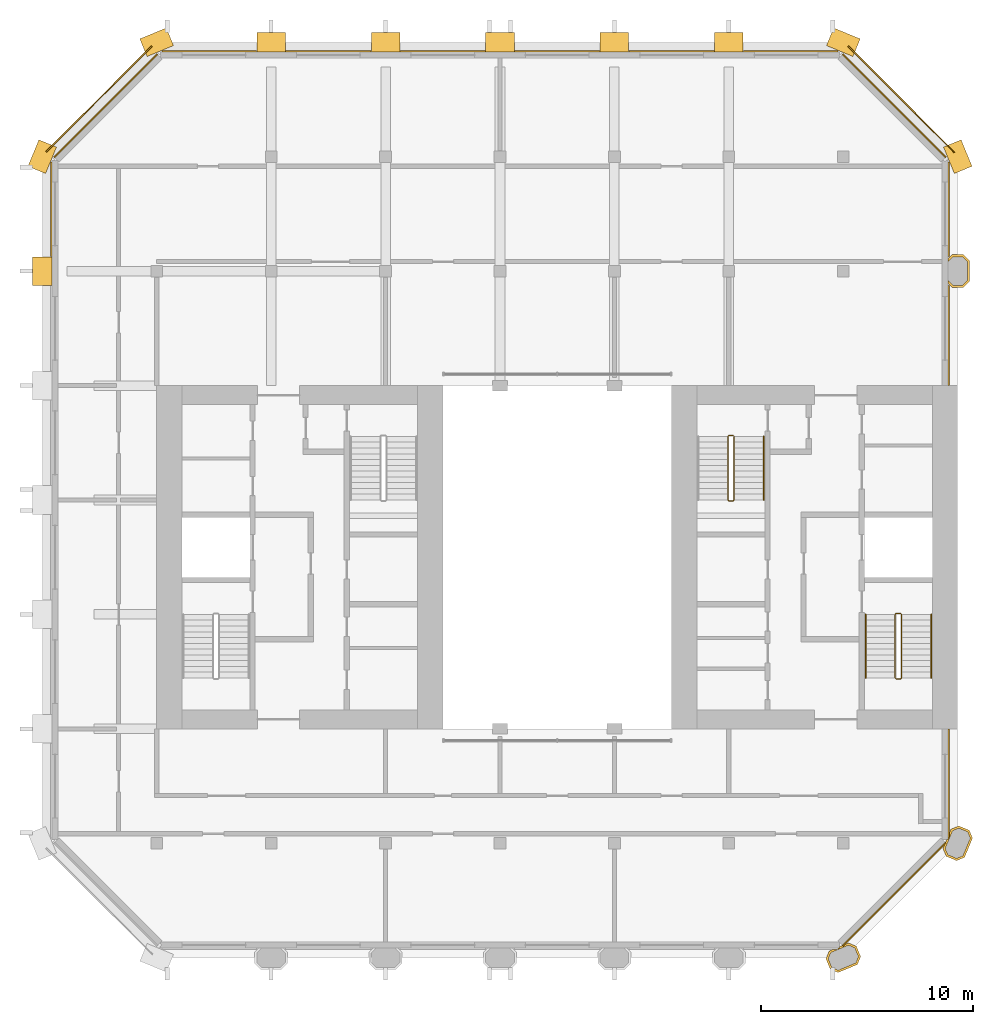
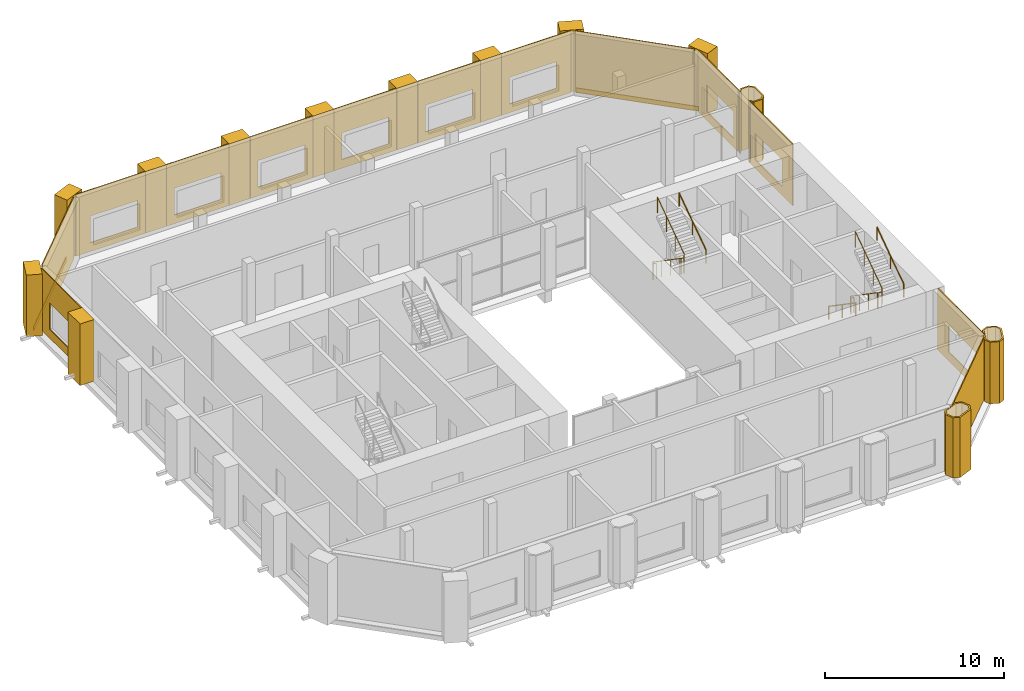
# One storey, part 11 of 11: 28 coverings, 5 railings.
"""IFC4 building model written with IfcOpenShell, lengths in metres."""

from ifc_helpers import new_model, si_unit, direction, frame, frame_2d, origin, origin_2d, place, context, subcontext, project, spatial, polyline, rectangle, circle, outline, extrude, material, layer, layer_set, type_object, element, save


model = new_model("IFC4")

# Units and contexts
model_context = context("Model", 3, precision=1e-05, world=origin(), true_north=direction((0.0, 1.0)))
body_context = subcontext(model_context, "Body", "Model", "MODEL_VIEW")
ifc_project = project(units=[si_unit("LENGTHUNIT", "METRE"), si_unit("AREAUNIT", "SQUARE_METRE"), si_unit("VOLUMEUNIT", "CUBIC_METRE"), si_unit("PLANEANGLEUNIT", "RADIAN"), si_unit("MASSUNIT", "GRAM", prefix="KILO")], contexts=[model_context])

# Site, building, storey
site_placement = place(None, origin())
site = spatial("IfcSite", under=ifc_project, at=site_placement, CompositionType="ELEMENT")
building_placement = place(site_placement, origin())
building = spatial("IfcBuilding", under=site, at=building_placement, Name="Tabaq Tower and Sports Hall", CompositionType="ELEMENT")
storey_placement = place(building_placement, frame((0.0, 0.0, 312.699951171875)))
storey = spatial("IfcBuildingStorey", under=building, at=storey_placement, Name="L78", CompositionType="ELEMENT", Elevation=312.699951171875)

# Coverings
ifc_material_1 = material(Name="Precast concrete C60/75", Category="concrete")
ifc_layer_1 = layer(ifc_material_1, 0.10009765625)
ifc_layer_set_1 = layer_set([ifc_layer_1], Name="Column cladding 100")
covering_type_1 = type_object("IfcCoveringType", Name="Column cladding 100", PredefinedType="CLADDING", material=ifc_layer_set_1)
covering_1_placement = place(storey_placement, frame((0.0, 0.0, 0.10009765625)))
element("IfcCovering", 1, at=covering_1_placement, inside=storey, type_object=covering_type_1, Name="Column cladding L78 PC-8B-CR", PredefinedType="CLADDING", context=body_context, shape_type="SweptSolid", body=[
    extrude(outline(polyline([(36.982421875, 5.349609375), (37.1357421875, 5.7197265625), (37.304443359375, 5.789794921875), (37.55712890625, 5.789794921875), (37.55712890625, 5.849609375), (37.614013671875, 5.849609375), (37.614013671875, 5.91796875), (37.767578125, 5.9814453125), (37.799072265625, 5.9501953125), (37.875, 6.026123046875), (38.04345703125, 6.095947265625), (38.413818359375, 5.9423828125), (38.61767578125, 5.450439453125), (38.46435546875, 5.080078125), (37.556396484375, 4.7041015625), (37.186279296875, 4.857421875), (36.982421875, 5.349609375)]), holes=[polyline([(38.510009765625, 5.450439453125), (38.337646484375, 5.866455078125), (38.04345703125, 5.98828125), (37.2119140625, 5.643798828125), (37.08984375, 5.349609375), (37.26220703125, 4.93359375), (37.556396484375, 4.811767578125), (38.38818359375, 5.15625), (38.510009765625, 5.450439453125)])]), origin(), (0.0, 0.0, 1.0), 4.099853515625),
])
covering_2_placement = place(storey_placement, origin())
element("IfcCovering", 2, at=covering_2_placement, inside=storey, type_object=covering_type_1, Name="Column cladding L78 PC-9C-CR", PredefinedType="CLADDING", context=body_context, shape_type="SweptSolid", body=[
    extrude(outline(polyline([(42.657470703125, 10.186279296875), (42.504150390625, 10.556396484375), (42.573974609375, 10.72509765625), (42.64990234375, 10.801025390625), (42.618408203125, 10.83251953125), (42.68212890625, 10.986083984375), (42.750244140625, 10.986083984375), (42.750244140625, 11.04296875), (42.810302734375, 11.04296875), (42.810302734375, 11.295654296875), (42.880126953125, 11.46435546875), (43.25048828125, 11.61767578125), (43.742431640625, 11.413818359375), (43.895751953125, 11.04345703125), (43.519775390625, 10.1357421875), (43.149658203125, 9.982421875), (42.657470703125, 10.186279296875)]), holes=[polyline([(43.66650390625, 11.337646484375), (43.25048828125, 11.510009765625), (42.956298828125, 11.38818359375), (42.61181640625, 10.556396484375), (42.733642578125, 10.26220703125), (43.149658203125, 10.08984375), (43.44384765625, 10.2119140625), (43.788330078125, 11.04345703125), (43.66650390625, 11.337646484375)])]), origin(), (0.0, 0.0, 1.0), 4.199951171875),
])
covering_3_placement = place(storey_placement, origin())
element("IfcCovering", 3, at=covering_3_placement, inside=storey, type_object=covering_type_1, Name="Column cladding L78 PC-9H-CR", PredefinedType="CLADDING", context=body_context, shape_type="SweptSolid", body=[
    extrude(outline(polyline([(42.93359375, 37.025390625), (42.750244140625, 37.208740234375), (42.750244140625, 37.349365234375), (42.974853515625, 37.124755859375), (43.425048828125, 37.124755859375), (43.650390625, 37.349853515625), (43.650390625, 38.250244140625), (43.425048828125, 38.475341796875), (42.974853515625, 38.475341796875), (42.750244140625, 38.250732421875), (42.750244140625, 38.391357421875), (42.93359375, 38.57470703125), (43.46630859375, 38.57470703125), (43.749755859375, 38.291259765625), (43.749755859375, 37.30859375), (43.46630859375, 37.025390625), (42.93359375, 37.025390625)])), origin(), (0.0, 0.0, 1.0), 4.199951171875),
])
ifc_material_2 = material(Name="Precast concrete C60/75", Category="concrete")
ifc_layer_2 = layer(ifc_material_2, 0.06005859375)
ifc_layer_set_2 = layer_set([ifc_layer_2], Name="Edge beam cladding 60")
covering_type_2 = type_object("IfcCoveringType", Name="Edge beam cladding 60", PredefinedType="CLADDING", material=ifc_layer_set_2)
covering_4_placement = place(storey_placement, frame((43.04443359375, 43.39794921875, -0.300048828125), z_axis=(0.0, 0.0, 1.0), x_axis=(-0.707106781187, 0.707106781187, 0.0)))
element("IfcCovering", 4, at=covering_4_placement, inside=storey, type_object=covering_type_2, Name="Edge beam cladding L78 1", PredefinedType="CLADDING", context=body_context, shape_type="SweptSolid", body=[
    extrude(rectangle(XDim=7.08837890625, YDim=0.06005859375, at=frame_2d((3.544189453125, 0.0))), origin(), (0.0, 0.0, 1.0), 0.300048828125),
])
covering_5_placement = place(storey_placement, frame((5.167724609375, 48.41015625, -0.300048828125), z_axis=(0.0, 0.0, 1.0), x_axis=(-0.707106781187, -0.707106781187, 0.0)))
element("IfcCovering", 5, at=covering_5_placement, inside=storey, type_object=covering_type_2, Name="Edge beam cladding L78 3", PredefinedType="CLADDING", context=body_context, shape_type="SweptSolid", body=[
    extrude(rectangle(XDim=7.03955078125, YDim=0.06005859375, at=frame_2d((3.519775390625, 0.0))), origin(), (0.0, 0.0, 1.0), 0.300048828125),
])
ifc_material_3 = material(Name="White precast concrete C60/75", Category="concrete")
covering_type_3 = type_object("IfcCoveringType", Name="Pier cladding hung 1350x900", PredefinedType="CLADDING", material=ifc_material_3)
for number, where, z_axis, x_axis, name in (
    (6, (0.0, 38.47509765625, 0.0), (0.0, 0.0, 1.0), (0.0, -1.0, 0.0), "Hung pier cladding 0/7"),
    (7, (0.25830078125, 43.82373046875, 0.0), (0.0, 0.0, 1.0), (-0.382649923473, -0.923893411637, 0.0), "Hung pier cladding 0/8"),
    (8, (6.023681640625, 48.8583984375, 0.0), (0.0, 0.0, 1.0), (-0.923893411637, -0.382649923473, 0.0), "Hung pier cladding 1/9"),
    (9, (11.47509765625, 48.60009765625, 0.0), (0.0, 0.0, 1.0), (-1.0, 0.0, 0.0), "Hung pier cladding 2/9"),
    (10, (16.875, 48.60009765625, 0.0), (0.0, 0.0, 1.0), (-1.0, 0.0, 0.0), "Hung pier cladding 3/9"),
):
    element("IfcCovering", number, at=place(storey_placement, frame(where, z_axis=z_axis, x_axis=x_axis)), inside=storey, type_object=covering_type_3, Name=name, PredefinedType="CLADDING", context=body_context, shape_type="SweptSolid", body=[
        extrude(rectangle(XDim=1.35009765625, YDim=0.89990234375, at=frame_2d((0.675048828125, 0.0))), origin(), (0.0, 0.0, 1.0), 4.199951171875),
    ])
covering_6_placement = place(storey_placement, frame((22.27490234375, 48.60009765625, 0.0), z_axis=(0.0, 0.0, 1.0), x_axis=(-1.0, 0.0, 0.0)))
element("IfcCovering", 11, at=covering_6_placement, inside=storey, type_object=covering_type_3, Name="Hung pier cladding 4/9", PredefinedType="CLADDING", context=body_context, shape_type="SweptSolid", body=[
    extrude(rectangle(XDim=1.349853515625, YDim=0.89990234375, at=frame_2d((0.6748046875, 0.0))), origin(), (0.0, 0.0, 1.0), 4.199951171875),
])
covering_7_placement = place(storey_placement, frame((27.675048828125, 48.60009765625, 0.0), z_axis=(0.0, 0.0, 1.0), x_axis=(-1.0, 0.0, 0.0)))
element("IfcCovering", 12, at=covering_7_placement, inside=storey, type_object=covering_type_3, Name="Hung pier cladding 5/9", PredefinedType="CLADDING", context=body_context, shape_type="SweptSolid", body=[
    extrude(rectangle(XDim=1.35009765625, YDim=0.89990234375, at=frame_2d((0.675048828125, 0.0))), origin(), (0.0, 0.0, 1.0), 4.199951171875),
])
covering_8_placement = place(storey_placement, frame((33.074951171875, 48.60009765625, 0.0), z_axis=(0.0, 0.0, 1.0), x_axis=(-1.0, 0.0, 0.0)))
element("IfcCovering", 13, at=covering_8_placement, inside=storey, type_object=covering_type_3, Name="Hung pier cladding 6/9", PredefinedType="CLADDING", context=body_context, shape_type="SweptSolid", body=[
    extrude(rectangle(XDim=1.349853515625, YDim=0.89990234375, at=frame_2d((0.6748046875, 0.0))), origin(), (0.0, 0.0, 1.0), 4.199951171875),
])
for number, where, z_axis, x_axis, name in (
    (14, (38.423583984375, 48.341796875, 0.0), (0.0, 0.0, 1.0), (-0.923893411637, 0.382649923473, 0.0), "Hung pier cladding 7/9"),
    (15, (43.458251953125, 42.576416015625, 0.0), (0.0, 0.0, 1.0), (-0.382649923473, 0.923893411637, 0.0), "Hung pier cladding 8/8"),
):
    element("IfcCovering", number, at=place(storey_placement, frame(where, z_axis=z_axis, x_axis=x_axis)), inside=storey, type_object=covering_type_3, Name=name, PredefinedType="CLADDING", context=body_context, shape_type="SweptSolid", body=[
        extrude(rectangle(XDim=1.35009765625, YDim=0.89990234375, at=frame_2d((0.675048828125, 0.0))), origin(), (0.0, 0.0, 1.0), 4.199951171875),
    ])

# Railings
ifc_material_4 = material(Name="Stainless steel", Category="steel")
railing_type_1 = type_object("IfcRailingType", Name="Stair guard", PredefinedType="GUARDRAIL", material=ifc_material_4)
railing_1_placement = place(storey_placement, frame((40.5, 21.64990234375, 0.0)))
element("IfcRailing", 16, at=railing_1_placement, inside=storey, type_object=railing_type_1, Name="L78 ST3 stair guard 1", PredefinedType="GUARDRAIL", context=body_context, shape_type="SweptSolid", body=[
    extrude(circle(Radius=0.02392578125, at=origin_2d()), frame((0.0, 0.0, 1.076171875), z_axis=(-1.0, 0.0, 0.0), x_axis=(0.0, -1.0, 0.0)), (0.0, 0.0, 1.0), 0.199951171875),
    extrude(circle(Radius=0.02392578125, at=origin_2d()), frame((-0.199951171875, 0.0, 1.076171875), z_axis=(-0.249802250048, -0.248583702486, 0.935844527007), x_axis=(0.705375805398, -0.708833529934, 0.0)), (0.0, 0.0, 1.0), 0.200439453125),
    extrude(circle(Radius=0.02392578125, at=origin_2d()), frame((-0.25, -0.0498046875, 1.263671875), z_axis=(0.0, -0.824041924199, 0.566528822887), x_axis=(1.0, 0.0, 0.0)), (0.0, 0.0, 1.0), 3.640625),
    extrude(circle(Radius=0.02392578125, at=origin_2d()), frame((-0.25, -3.0498046875, 3.326171875), z_axis=(0.707106781187, -0.707106781187, 0.0), x_axis=(0.707106781187, 0.707106781187, 0.0)), (0.0, 0.0, 1.0), 0.07080078125),
    extrude(circle(Radius=0.02392578125, at=origin_2d()), frame((-0.199951171875, -3.099853515625, 3.326171875), z_axis=(1.0, 0.0, 0.0), x_axis=(0.0, 1.0, 0.0)), (0.0, 0.0, 1.0), 0.199951171875),
    extrude(circle(Radius=0.02392578125, at=origin_2d()), frame((0.0, -3.099853515625, 3.326171875), z_axis=(0.249726431254, 0.249726431254, 0.935560483917), x_axis=(-0.707106781187, 0.707106781187, 0.0)), (0.0, 0.0, 1.0), 0.200439453125),
    extrude(circle(Radius=0.02392578125, at=origin_2d()), frame((0.050048828125, -3.0498046875, 3.513671875), z_axis=(0.0, 0.824041924199, 0.566528822887), x_axis=(-1.0, 0.0, 0.0)), (0.0, 0.0, 1.0), 3.640625),
    extrude(circle(Radius=0.02099609375, at=origin_2d()), origin(), (0.0, 0.0, 1.0), 1.052001953125),
    extrude(circle(Radius=0.02099609375, at=origin_2d()), frame((-0.199951171875, 0.0, 0.0)), (0.0, 0.0, 1.0), 1.052001953125),
    extrude(circle(Radius=0.02099609375, at=origin_2d()), frame((-0.25, -0.0498046875, 0.1875)), (0.0, 0.0, 1.0), 1.052001953125),
    extrude(circle(Radius=0.02099609375, at=origin_2d()), frame((-0.25, -1.0498046875, 0.875)), (0.0, 0.0, 1.0), 1.052001953125),
    extrude(circle(Radius=0.02099609375, at=origin_2d()), frame((-0.25, -2.0498046875, 1.5625)), (0.0, 0.0, 1.0), 1.052001953125),
    extrude(circle(Radius=0.02099609375, at=origin_2d()), frame((-0.25, -3.0498046875, 2.25)), (0.0, 0.0, 1.0), 1.052001953125),
    extrude(circle(Radius=0.02099609375, at=origin_2d()), frame((-0.199951171875, -3.099853515625, 2.25)), (0.0, 0.0, 1.0), 1.052001953125),
    extrude(circle(Radius=0.02099609375, at=origin_2d()), frame((0.0, -3.099853515625, 2.25)), (0.0, 0.0, 1.0), 1.052001953125),
    extrude(circle(Radius=0.02099609375, at=origin_2d()), frame((0.050048828125, -3.0498046875, 2.4375)), (0.0, 0.0, 1.0), 1.052001953125),
    extrude(circle(Radius=0.02099609375, at=origin_2d()), frame((0.050048828125, -2.0498046875, 3.125)), (0.0, 0.0, 1.0), 1.052001953125),
    extrude(circle(Radius=0.02099609375, at=origin_2d()), frame((0.050048828125, -1.0498046875, 3.8125)), (0.0, 0.0, 1.0), 1.052001953125),
    extrude(circle(Radius=0.02099609375, at=origin_2d()), frame((0.050048828125, -0.0498046875, 4.5)), (0.0, 0.0, 1.0), 1.052001953125),
])
railing_2_placement = place(storey_placement, frame((32.60009765625, 30.050048828125, 0.0)))
element("IfcRailing", 17, at=railing_2_placement, inside=storey, type_object=railing_type_1, Name="L78 ST4 stair guard 1", PredefinedType="GUARDRAIL", context=body_context, shape_type="SweptSolid", body=[
    extrude(circle(Radius=0.02392578125, at=origin_2d()), frame((0.0, 0.0, 1.076171875), z_axis=(-1.0, 0.0, 0.0), x_axis=(0.0, -1.0, 0.0)), (0.0, 0.0, 1.0), 0.2001953125),
    extrude(circle(Radius=0.02392578125, at=origin_2d()), frame((-0.2001953125, 0.0, 1.076171875), z_axis=(-0.248583702486, -0.249802250048, 0.935844527007), x_axis=(0.708833529934, -0.705375805398, 0.0)), (0.0, 0.0, 1.0), 0.200439453125),
    extrude(circle(Radius=0.02392578125, at=origin_2d()), frame((-0.25, -0.050048828125, 1.263671875), z_axis=(0.0, -0.824041924199, 0.566528822887), x_axis=(1.0, 0.0, 0.0)), (0.0, 0.0, 1.0), 3.640625),
    extrude(circle(Radius=0.02392578125, at=origin_2d()), frame((-0.25, -3.050048828125, 3.326171875), z_axis=(0.705375805398, -0.708833529934, 0.0), x_axis=(0.708833529934, 0.705375805398, 0.0)), (0.0, 0.0, 1.0), 0.070556640625),
    extrude(circle(Radius=0.02392578125, at=origin_2d()), frame((-0.2001953125, -3.10009765625, 3.326171875), z_axis=(1.0, 0.0, 0.0), x_axis=(0.0, 1.0, 0.0)), (0.0, 0.0, 1.0), 0.2001953125),
    extrude(circle(Radius=0.02392578125, at=origin_2d()), frame((0.0, -3.10009765625, 3.326171875), z_axis=(0.248583702486, 0.249802250048, 0.935844527007), x_axis=(-0.708833529934, 0.705375805398, 0.0)), (0.0, 0.0, 1.0), 0.200439453125),
    extrude(circle(Radius=0.02392578125, at=origin_2d()), frame((0.0498046875, -3.050048828125, 3.513671875), z_axis=(0.0, 0.824041924199, 0.566528822887), x_axis=(-1.0, 0.0, 0.0)), (0.0, 0.0, 1.0), 3.640625),
    extrude(circle(Radius=0.02099609375, at=origin_2d()), origin(), (0.0, 0.0, 1.0), 1.052001953125),
    extrude(circle(Radius=0.02099609375, at=origin_2d()), frame((-0.2001953125, 0.0, 0.0)), (0.0, 0.0, 1.0), 1.052001953125),
    extrude(circle(Radius=0.02099609375, at=origin_2d()), frame((-0.25, -0.050048828125, 0.1875)), (0.0, 0.0, 1.0), 1.052001953125),
    extrude(circle(Radius=0.02099609375, at=origin_2d()), frame((-0.25, -1.050048828125, 0.875)), (0.0, 0.0, 1.0), 1.052001953125),
    extrude(circle(Radius=0.02099609375, at=origin_2d()), frame((-0.25, -2.050048828125, 1.5625)), (0.0, 0.0, 1.0), 1.052001953125),
    extrude(circle(Radius=0.02099609375, at=origin_2d()), frame((-0.25, -3.050048828125, 2.25)), (0.0, 0.0, 1.0), 1.052001953125),
    extrude(circle(Radius=0.02099609375, at=origin_2d()), frame((-0.2001953125, -3.10009765625, 2.25)), (0.0, 0.0, 1.0), 1.052001953125),
    extrude(circle(Radius=0.02099609375, at=origin_2d()), frame((0.0, -3.10009765625, 2.25)), (0.0, 0.0, 1.0), 1.052001953125),
    extrude(circle(Radius=0.02099609375, at=origin_2d()), frame((0.0498046875, -3.050048828125, 2.4375)), (0.0, 0.0, 1.0), 1.052001953125),
    extrude(circle(Radius=0.02099609375, at=origin_2d()), frame((0.0498046875, -2.050048828125, 3.125)), (0.0, 0.0, 1.0), 1.052001953125),
    extrude(circle(Radius=0.02099609375, at=origin_2d()), frame((0.0498046875, -1.050048828125, 3.8125)), (0.0, 0.0, 1.0), 1.052001953125),
    extrude(circle(Radius=0.02099609375, at=origin_2d()), frame((0.0498046875, -0.050048828125, 4.5)), (0.0, 0.0, 1.0), 1.052001953125),
])
ifc_material_5 = material(Name="Stainless steel", Category="steel")
railing_type_2 = type_object("IfcRailingType", Name="Stair handrail", PredefinedType="HANDRAIL", material=ifc_material_5)
railing_3_placement = place(storey_placement, frame((38.85009765625, 21.60009765625, 0.1875)))
element("IfcRailing", 18, at=railing_3_placement, inside=storey, type_object=railing_type_2, Name="L78 ST3 stair handrail 1", PredefinedType="HANDRAIL", context=body_context, shape_type="SweptSolid", body=[
    extrude(circle(Radius=0.02392578125, at=origin_2d()), frame((0.0, 0.0, 0.8759765625), z_axis=(0.0, -0.824041924199, 0.566528822887), x_axis=(1.0, 0.0, 0.0)), (0.0, 0.0, 1.0), 3.640625),
    extrude(circle(Radius=0.02099609375, at=origin_2d()), origin(), (0.0, 0.0, 1.0), 0.851806640625),
    extrude(circle(Radius=0.02099609375, at=origin_2d()), frame((0.0, -1.5, 1.03125)), (0.0, 0.0, 1.0), 0.851806640625),
    extrude(circle(Radius=0.02099609375, at=origin_2d()), frame((0.0, -3.0, 2.0625)), (0.0, 0.0, 1.0), 0.851806640625),
])
for number, where, name in (
    (19, (41.949951171875, 18.60009765625, 2.4375), "L78 ST3 stair handrail 2"),
    (20, (34.050048828125, 27.0, 2.4375), "L78 ST4 stair handrail 2"),
):
    element("IfcRailing", number, at=place(storey_placement, frame(where)), inside=storey, type_object=railing_type_2, Name=name, PredefinedType="HANDRAIL", context=body_context, shape_type="SweptSolid", body=[
        extrude(circle(Radius=0.02392578125, at=origin_2d()), frame((0.0, 0.0, 0.8759765625), z_axis=(0.0, 0.824041924199, 0.566528822887), x_axis=(-1.0, 0.0, 0.0)), (0.0, 0.0, 1.0), 3.640625),
        extrude(circle(Radius=0.02099609375, at=origin_2d()), origin(), (0.0, 0.0, 1.0), 0.851806640625),
        extrude(circle(Radius=0.02099609375, at=origin_2d()), frame((0.0, 1.5, 1.03125)), (0.0, 0.0, 1.0), 0.851806640625),
        extrude(circle(Radius=0.02099609375, at=origin_2d()), frame((0.0, 3.0, 2.0625)), (0.0, 0.0, 1.0), 0.851806640625),
    ])

# Coverings
ifc_material_6 = material(Name="Precast concrete C60/75", Category="concrete")
ifc_layer_3 = layer(ifc_material_6, 0.06005859375)
ifc_layer_set_3 = layer_set([ifc_layer_3], Name="White precast cladding panel 60 C60/75")
covering_type_4 = type_object("IfcCoveringType", Name="White precast cladding panel 60 C60/75", PredefinedType="CLADDING", material=ifc_layer_set_3)
covering_9_placement = place(storey_placement, frame((37.77783203125, 5.9716796875, 0.0), z_axis=(0.0, 0.0, 1.0), x_axis=(0.707088985397, 0.707124576528, 0.0)))
element("IfcCovering", 21, at=covering_9_placement, inside=storey, type_object=covering_type_4, Name="White precast cladding panel L78 wall01", PredefinedType="CLADDING", context=body_context, shape_type="SweptSolid", body=[
    extrude(outline(polyline([(0.0, 0.0), (6.859619140625, 0.0), (6.859619140625, 4.199951171875), (6.2880859375, 4.199951171875), (5.71630859375, 4.199951171875), (5.144775390625, 4.199951171875), (4.5732421875, 4.199951171875), (4.00146484375, 4.199951171875), (3.429931640625, 4.199951171875), (2.858154296875, 4.199951171875), (2.28662109375, 4.199951171875), (1.71484375, 4.199951171875), (1.143310546875, 4.199951171875), (0.571533203125, 4.199951171875), (0.0, 4.199951171875), (0.0, 0.0)])), frame((0.0, 0.030029296875, 0.0), z_axis=(0.0, -1.0, 0.0), x_axis=(1.0, 0.0, 0.0)), (0.0, 0.0, 1.0), 0.06005859375),
])
covering_10_placement = place(storey_placement, frame((42.780029296875, 11.043212890625, 0.0), z_axis=(0.0, 0.0, 1.0), x_axis=(0.0, 1.0, 0.0)))
element("IfcCovering", 22, at=covering_10_placement, inside=storey, type_object=covering_type_4, Name="White precast cladding panel L78 wall02", PredefinedType="CLADDING", context=body_context, shape_type="SweptSolid", body=[
    extrude(outline(polyline([(0.0, 0.0), (5.15673828125, 0.0), (5.15673828125, 4.199951171875), (4.57763671875, 4.199951171875), (3.998291015625, 4.199951171875), (3.4189453125, 4.199951171875), (2.839599609375, 4.199951171875), (2.260498046875, 4.199951171875), (1.68115234375, 4.199951171875), (1.101806640625, 4.199951171875), (0.5224609375, 4.199951171875), (0.0, 4.199951171875), (0.0, 0.0)]), holes=[polyline([(0.94677734375, 0.590087890625), (0.94677734375, 2.41015625), (3.966796875, 2.41015625), (3.966796875, 0.590087890625), (0.94677734375, 0.590087890625)])]), frame((0.0, 0.030029296875, 0.0), z_axis=(0.0, -1.0, 0.0), x_axis=(1.0, 0.0, 0.0)), (0.0, 0.0, 1.0), 0.06005859375),
])
covering_11_placement = place(storey_placement, frame((42.780029296875, 32.39990234375, 0.0), z_axis=(0.0, 0.0, 1.0), x_axis=(0.0, 1.0, 0.0)))
element("IfcCovering", 23, at=covering_11_placement, inside=storey, type_object=covering_type_4, Name="White precast cladding panel L78 wall02-1", PredefinedType="CLADDING", context=body_context, shape_type="SweptSolid", body=[
    extrude(outline(polyline([(0.0, 0.0), (4.715087890625, 0.0), (4.715087890625, 4.199951171875), (4.12744140625, 4.199951171875), (3.537841796875, 4.199951171875), (2.9482421875, 4.199951171875), (2.358642578125, 4.199951171875), (1.76904296875, 4.199951171875), (1.17919921875, 4.199951171875), (0.589599609375, 4.199951171875), (0.0, 4.199951171875), (0.0, 0.0)]), holes=[polyline([(1.18994140625, 0.590087890625), (1.18994140625, 2.41015625), (4.2099609375, 2.41015625), (4.2099609375, 0.590087890625), (1.18994140625, 0.590087890625)])]), frame((0.0, 0.030029296875, 0.0), z_axis=(0.0, -1.0, 0.0), x_axis=(1.0, 0.0, 0.0)), (0.0, 0.0, 1.0), 0.06005859375),
])
covering_12_placement = place(storey_placement, frame((42.780029296875, 38.485107421875, 0.0), z_axis=(0.0, 0.0, 1.0), x_axis=(0.0, 1.0, 0.0)))
element("IfcCovering", 24, at=covering_12_placement, inside=storey, type_object=covering_type_4, Name="White precast cladding panel L78 wall02-1 2", PredefinedType="CLADDING", context=body_context, shape_type="SweptSolid", body=[
    extrude(outline(polyline([(0.0, 0.0), (4.4716796875, 0.0), (4.471923828125, 4.199951171875), (3.93896484375, 4.199951171875), (3.349365234375, 4.199951171875), (2.759765625, 4.199951171875), (2.169921875, 4.199951171875), (1.580322265625, 4.199951171875), (0.99072265625, 4.199951171875), (0.401123046875, 4.199951171875), (0.0, 4.199951171875), (0.0, 0.0)]), holes=[polyline([(0.5048828125, 0.590087890625), (0.5048828125, 2.41015625), (3.52490234375, 2.41015625), (3.52490234375, 0.590087890625), (0.5048828125, 0.590087890625)])]), frame((0.0, 0.030029296875, 0.0), z_axis=(0.0, -1.0, 0.0), x_axis=(1.0, 0.0, 0.0)), (0.0, 0.0, 1.0), 0.06005859375),
])
covering_13_placement = place(storey_placement, frame((42.628173828125, 43.177734375, 0.0), z_axis=(0.0, 0.0, 1.0), x_axis=(-0.707088985397, 0.707124576528, 0.0)))
element("IfcCovering", 25, at=covering_13_placement, inside=storey, type_object=covering_type_4, Name="White precast cladding panel L78 wall03", PredefinedType="CLADDING", context=body_context, shape_type="SweptSolid", body=[
    extrude(outline(polyline([(0.0, 0.0), (6.859619140625, 0.0), (6.859619140625, 4.199951171875), (6.2880859375, 4.199951171875), (5.71630859375, 4.199951171875), (5.144775390625, 4.199951171875), (4.5732421875, 4.199951171875), (4.00146484375, 4.199951171875), (3.429931640625, 4.199951171875), (2.858154296875, 4.199951171875), (2.28662109375, 4.199951171875), (1.71484375, 4.199951171875), (1.143310546875, 4.199951171875), (0.571533203125, 4.199951171875), (0.0, 4.199951171875), (0.0, 0.0)])), frame((0.0, 0.030029296875, 0.0), z_axis=(0.0, -1.0, 0.0), x_axis=(1.0, 0.0, 0.0)), (0.0, 0.0, 1.0), 0.06005859375),
])
covering_14_placement = place(storey_placement, frame((37.556884765625, 48.179931640625, 0.0), z_axis=(0.0, 0.0, 1.0), x_axis=(-1.0, 0.0, 0.0)))
element("IfcCovering", 26, at=covering_14_placement, inside=storey, type_object=covering_type_4, Name="White precast cladding panel L78 wall04", PredefinedType="CLADDING", context=body_context, shape_type="SweptSolid", body=[
    extrude(outline(polyline([(0.0, 0.0), (4.471923828125, 0.0), (4.471923828125, 4.199951171875), (4.094970703125, 4.199951171875), (3.501708984375, 4.199951171875), (2.90869140625, 4.199951171875), (2.315673828125, 4.199951171875), (1.722412109375, 4.199951171875), (1.12939453125, 4.199951171875), (0.536376953125, 4.199951171875), (0.0, 4.199951171875), (0.0, 0.0)]), holes=[polyline([(0.94677734375, 0.590087890625), (0.94677734375, 2.41015625), (3.966796875, 2.41015625), (3.966796875, 0.590087890625), (0.94677734375, 0.590087890625)])]), frame((0.0, 0.030029296875, 0.0), z_axis=(0.0, -1.0, 0.0), x_axis=(1.0, 0.0, 0.0)), (0.0, 0.0, 1.0), 0.06005859375),
])
covering_15_placement = place(storey_placement, frame((31.715087890625, 48.179931640625, 0.0), z_axis=(0.0, 0.0, 1.0), x_axis=(-1.0, 0.0, 0.0)))
element("IfcCovering", 27, at=covering_15_placement, inside=storey, type_object=covering_type_4, Name="White precast cladding panel L78 wall04 2", PredefinedType="CLADDING", context=body_context, shape_type="SweptSolid", body=[
    extrude(outline(polyline([(0.0, 0.0), (4.030029296875, 0.0), (4.030029296875, 4.199951171875), (3.5908203125, 4.199951171875), (2.997802734375, 4.199951171875), (2.40478515625, 4.199951171875), (1.811767578125, 4.199951171875), (1.218505859375, 4.199951171875), (0.62548828125, 4.199951171875), (0.032470703125, 4.199951171875), (0.0, 4.199951171875), (0.0, 0.0)]), holes=[polyline([(0.5048828125, 0.590087890625), (0.5048828125, 2.41015625), (3.52490234375, 2.41015625), (3.52490234375, 0.590087890625), (0.5048828125, 0.590087890625)])]), frame((0.0, 0.030029296875, 0.0), z_axis=(0.0, -1.0, 0.0), x_axis=(1.0, 0.0, 0.0)), (0.0, 0.0, 1.0), 0.06005859375),
])
covering_16_placement = place(storey_placement, frame((26.31494140625, 48.179931640625, 0.0), z_axis=(0.0, 0.0, 1.0), x_axis=(-1.0, 0.0, 0.0)))
element("IfcCovering", 28, at=covering_16_placement, inside=storey, type_object=covering_type_4, Name="White precast cladding panel L78 wall04 3", PredefinedType="CLADDING", context=body_context, shape_type="SweptSolid", body=[
    extrude(outline(polyline([(0.0, 0.0), (4.030029296875, 0.0), (4.030029296875, 4.199951171875), (3.52880859375, 4.199951171875), (2.935791015625, 4.199951171875), (2.342529296875, 4.199951171875), (1.74951171875, 4.199951171875), (1.156494140625, 4.199951171875), (0.563232421875, 4.199951171875), (0.0, 4.199951171875), (0.0, 0.0)]), holes=[polyline([(0.5048828125, 0.590087890625), (0.5048828125, 2.41015625), (3.52490234375, 2.41015625), (3.52490234375, 0.590087890625), (0.5048828125, 0.590087890625)])]), frame((0.0, 0.030029296875, 0.0), z_axis=(0.0, -1.0, 0.0), x_axis=(1.0, 0.0, 0.0)), (0.0, 0.0, 1.0), 0.06005859375),
])
covering_17_placement = place(storey_placement, frame((20.9150390625, 48.179931640625, 0.0), z_axis=(0.0, 0.0, 1.0), x_axis=(-1.0, 0.0, 0.0)))
element("IfcCovering", 29, at=covering_17_placement, inside=storey, type_object=covering_type_4, Name="White precast cladding panel L78 wall04 4", PredefinedType="CLADDING", context=body_context, shape_type="SweptSolid", body=[
    extrude(outline(polyline([(0.0, 0.0), (4.030029296875, 0.0), (4.030029296875, 4.199951171875), (3.466796875, 4.199951171875), (2.87353515625, 4.199951171875), (2.280517578125, 4.199951171875), (1.6875, 4.199951171875), (1.09423828125, 4.199951171875), (0.501220703125, 4.199951171875), (0.0, 4.199951171875), (0.0, 0.0)]), holes=[polyline([(0.5048828125, 0.590087890625), (0.5048828125, 2.41015625), (3.52490234375, 2.41015625), (3.52490234375, 0.590087890625), (0.5048828125, 0.590087890625)])]), frame((0.0, 0.030029296875, 0.0), z_axis=(0.0, -1.0, 0.0), x_axis=(1.0, 0.0, 0.0)), (0.0, 0.0, 1.0), 0.06005859375),
])
covering_18_placement = place(storey_placement, frame((15.514892578125, 48.179931640625, 0.0), z_axis=(0.0, 0.0, 1.0), x_axis=(-1.0, 0.0, 0.0)))
element("IfcCovering", 30, at=covering_18_placement, inside=storey, type_object=covering_type_4, Name="White precast cladding panel L78 wall04 5", PredefinedType="CLADDING", context=body_context, shape_type="SweptSolid", body=[
    extrude(outline(polyline([(0.0, 0.0), (4.02978515625, 0.0), (4.030029296875, 4.199951171875), (3.99755859375, 4.199951171875), (3.404541015625, 4.199951171875), (2.8115234375, 4.199951171875), (2.21826171875, 4.199951171875), (1.625244140625, 4.199951171875), (1.0322265625, 4.199951171875), (0.43896484375, 4.199951171875), (0.0, 4.199951171875), (0.0, 0.0)]), holes=[polyline([(0.5048828125, 0.590087890625), (0.5048828125, 2.41015625), (3.52490234375, 2.41015625), (3.52490234375, 0.590087890625), (0.5048828125, 0.590087890625)])]), frame((0.0, 0.030029296875, 0.0), z_axis=(0.0, -1.0, 0.0), x_axis=(1.0, 0.0, 0.0)), (0.0, 0.0, 1.0), 0.06005859375),
])
covering_19_placement = place(storey_placement, frame((10.114990234375, 48.179931640625, 0.0), z_axis=(0.0, 0.0, 1.0), x_axis=(-1.0, 0.0, 0.0)))
element("IfcCovering", 31, at=covering_19_placement, inside=storey, type_object=covering_type_4, Name="White precast cladding panel L78 wall04 6", PredefinedType="CLADDING", context=body_context, shape_type="SweptSolid", body=[
    extrude(outline(polyline([(0.0, 0.0), (4.471923828125, 0.0), (4.471923828125, 4.199951171875), (3.935546875, 4.199951171875), (3.342529296875, 4.199951171875), (2.749267578125, 4.199951171875), (2.15625, 4.199951171875), (1.563232421875, 4.199951171875), (0.969970703125, 4.199951171875), (0.376953125, 4.199951171875), (0.0, 4.199951171875), (0.0, 0.0)]), holes=[polyline([(0.5048828125, 0.590087890625), (0.5048828125, 2.41015625), (3.52490234375, 2.41015625), (3.52490234375, 0.590087890625), (0.5048828125, 0.590087890625)])]), frame((0.0, 0.030029296875, 0.0), z_axis=(0.0, -1.0, 0.0), x_axis=(1.0, 0.0, 0.0)), (0.0, 0.0, 1.0), 0.06005859375),
])
covering_20_placement = place(storey_placement, frame((5.42236328125, 48.0283203125, 0.0), z_axis=(0.0, 0.0, 1.0), x_axis=(-0.707106781187, -0.707106781187, 0.0)))
element("IfcCovering", 32, at=covering_20_placement, inside=storey, type_object=covering_type_4, Name="White precast cladding panel L78 wall05", PredefinedType="CLADDING", context=body_context, shape_type="SweptSolid", body=[
    extrude(outline(polyline([(0.0, 0.0), (6.85986328125, 0.0), (6.859619140625, 4.199951171875), (6.2880859375, 4.199951171875), (5.71630859375, 4.199951171875), (5.144775390625, 4.199951171875), (4.5732421875, 4.199951171875), (4.00146484375, 4.199951171875), (3.429931640625, 4.199951171875), (2.858154296875, 4.199951171875), (2.28662109375, 4.199951171875), (1.71484375, 4.199951171875), (1.143310546875, 4.199951171875), (0.571533203125, 4.199951171875), (0.0, 4.199951171875), (0.0, 0.0)])), frame((0.0, 0.030029296875, 0.0), z_axis=(0.0, -1.0, 0.0), x_axis=(1.0, 0.0, 0.0)), (0.0, 0.0, 1.0), 0.06005859375),
])
covering_21_placement = place(storey_placement, frame((0.419921875, 42.956787109375, 0.0), z_axis=(0.0, 0.0, 1.0), x_axis=(0.0, -1.0, 0.0)))
element("IfcCovering", 33, at=covering_21_placement, inside=storey, type_object=covering_type_4, Name="White precast cladding panel L78 wall06", PredefinedType="CLADDING", context=body_context, shape_type="SweptSolid", body=[
    extrude(outline(polyline([(0.0, 0.0), (4.4716796875, 0.0), (4.471923828125, 4.199951171875), (4.094970703125, 4.199951171875), (3.501708984375, 4.199951171875), (2.90869140625, 4.199951171875), (2.315673828125, 4.199951171875), (1.722412109375, 4.199951171875), (1.12939453125, 4.199951171875), (0.536376953125, 4.199951171875), (0.0, 4.199951171875), (0.0, 0.0)]), holes=[polyline([(0.94677734375, 0.590087890625), (0.94677734375, 2.41015625), (3.966796875, 2.41015625), (3.966796875, 0.590087890625), (0.94677734375, 0.590087890625)])]), frame((0.0, 0.030029296875, 0.0), z_axis=(0.0, -1.0, 0.0), x_axis=(1.0, 0.0, 0.0)), (0.0, 0.0, 1.0), 0.06005859375),
])

save(model, "model.ifc")
